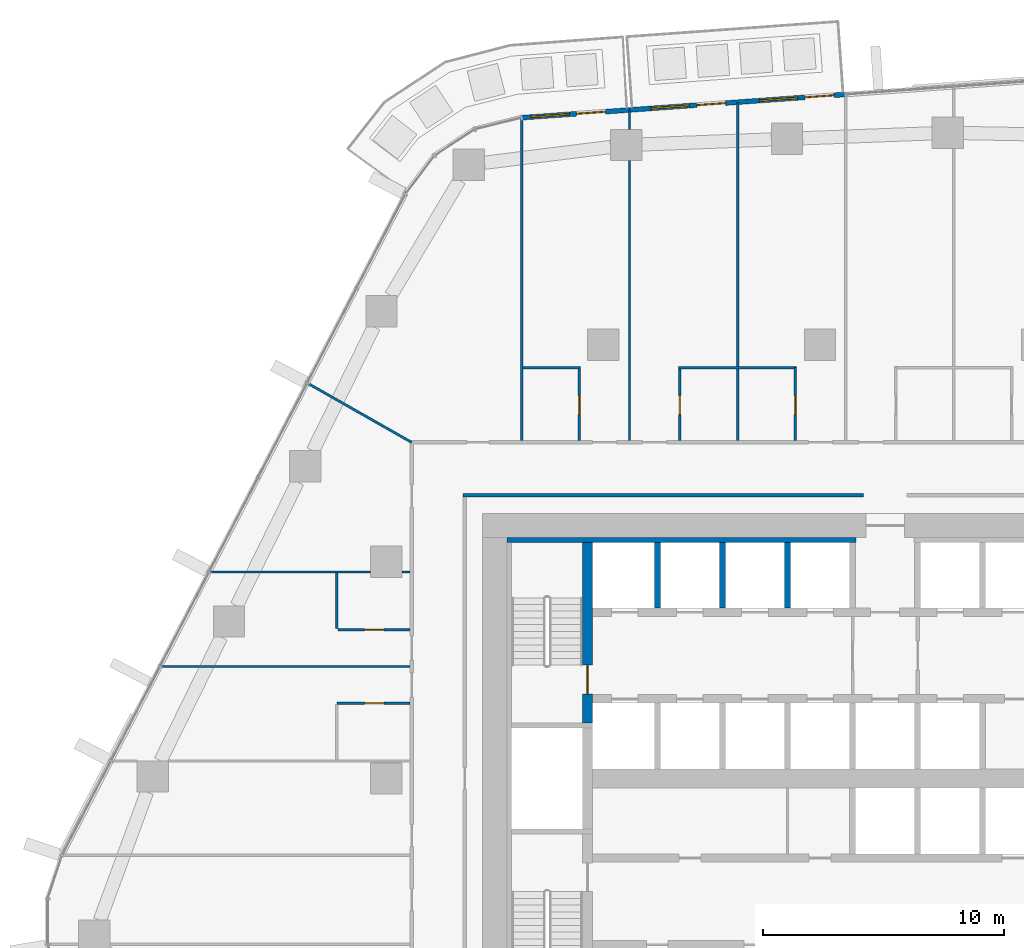
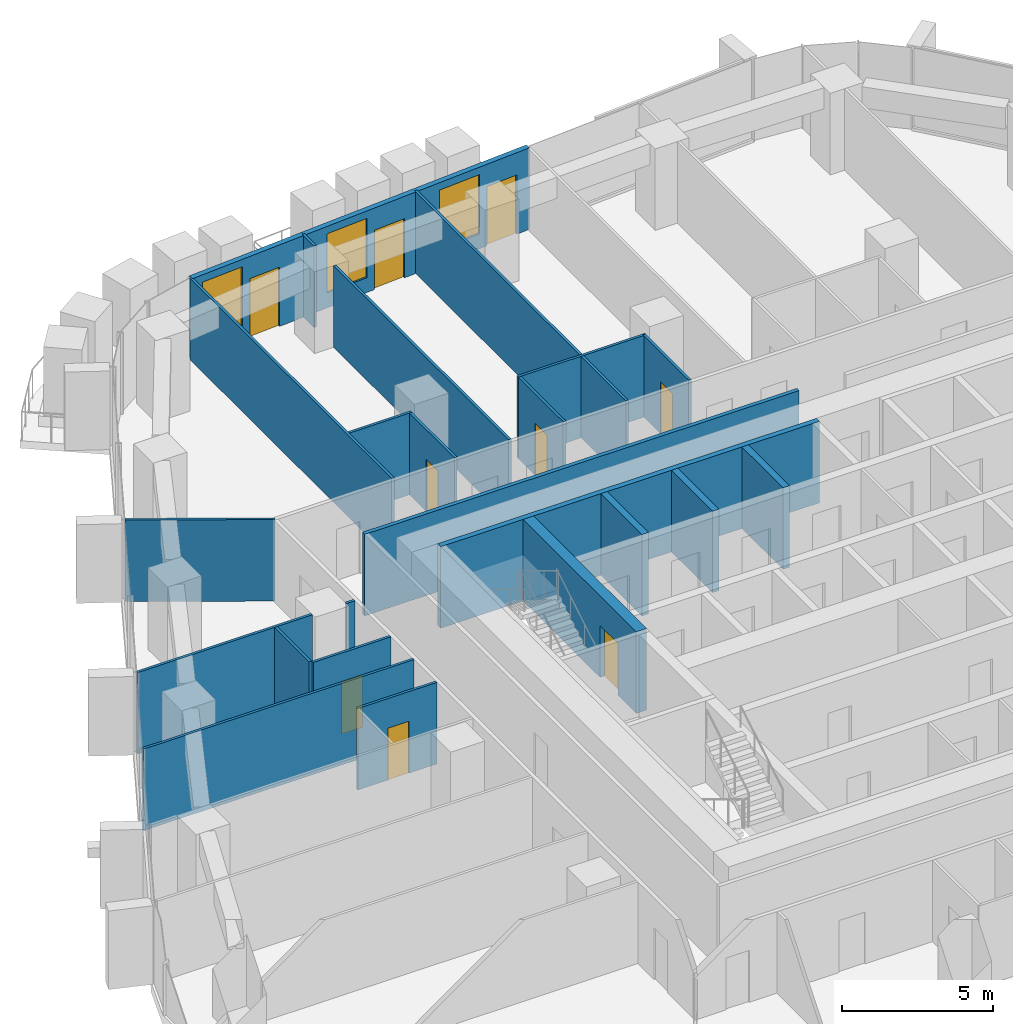
# One storey, part 15 of 24: 25 walls, 9 doors, 3 windows, 12 openings.
"""IFC4 building model written with IfcOpenShell, lengths in metres."""

from ifc_helpers import new_model, si_unit, direction, frame, frame_2d, origin, place, context, subcontext, project, spatial, rectangle, extrude, material, layer, layer_set, type_object, element, fill, save


model = new_model("IFC4")

# Units and contexts
model_context = context("Model", 3, precision=1e-05, world=origin(), true_north=direction((0.0, 1.0)))
body_context = subcontext(model_context, "Body", "Model", "MODEL_VIEW")
ifc_project = project(units=[si_unit("LENGTHUNIT", "METRE"), si_unit("AREAUNIT", "SQUARE_METRE"), si_unit("VOLUMEUNIT", "CUBIC_METRE"), si_unit("PLANEANGLEUNIT", "RADIAN"), si_unit("MASSUNIT", "GRAM", prefix="KILO")], contexts=[model_context])

# Site, building, storey
site_placement = place(None, origin())
site = spatial("IfcSite", under=ifc_project, at=site_placement, CompositionType="ELEMENT")
building_placement = place(site_placement, origin())
building = spatial("IfcBuilding", under=site, at=building_placement, Name="Dongbaek Canopy Tower", CompositionType="ELEMENT")
storey_placement = place(building_placement, frame((0.0, 0.0, 110.0)))
storey = spatial("IfcBuildingStorey", under=building, at=storey_placement, Name="L23", CompositionType="ELEMENT", Elevation=110.0)

# Walls
ifc_material_1 = material(Name="Concrete C60/75", Category="concrete")
ifc_layer_1 = layer(ifc_material_1, 0.199951171875)
ifc_layer_set_1 = layer_set([ifc_layer_1], Name="Core wall lining 200 Concrete C60/75")
wall_type_1 = type_object("IfcWallType", Name="Core wall lining 200 Concrete C60/75", PredefinedType="SHEAR", material=ifc_layer_set_1)
wall_1_placement = place(storey_placement, frame((-13.0, 9.89990234375, 0.0), z_axis=(0.0, 0.0, 1.0), x_axis=(1.0, 0.0, 0.0)))
element("IfcWall", 1, at=wall_1_placement, inside=storey, type_object=wall_type_1, Name="Core wall lining", PredefinedType="SHEAR", context=body_context, shape_type="SweptSolid", body=[
    extrude(rectangle(XDim=14.5, YDim=0.199951171875, at=frame_2d((7.25, 0.0))), origin(), (0.0, 0.0, 1.0), 3.300048828125),
])
ifc_material_2 = material(Name="Gypsum board partition, steel stud, 2 x 15 mm fire board", Category="steel")
ifc_layer_2 = layer(ifc_material_2, 0.14990234375)
ifc_layer_set_2 = layer_set([ifc_layer_2], Name="Fire-rated partition 150 gypsum board")
wall_type_2 = type_object("IfcWallType", Name="Fire-rated partition 150 gypsum board", PredefinedType="PARTITIONING", material=ifc_layer_set_2)
wall_2_placement = place(storey_placement, frame((-14.824951171875, 11.75, 0.0), z_axis=(0.0, 0.0, 1.0), x_axis=(1.0, 0.0, 0.0)))
element("IfcWall", 2, at=wall_2_placement, inside=storey, type_object=wall_type_2, Name="Corridor partition", PredefinedType="PARTITIONING", context=body_context, shape_type="SweptSolid", body=[
    extrude(rectangle(XDim=16.625, YDim=0.14990234375, at=frame_2d((8.3125, 0.0))), origin(), (0.0, 0.0, 1.0), 3.300048828125),
])
ifc_material_3 = material(Name="Concrete C40/50", Category="concrete")
ifc_layer_3 = layer(ifc_material_3, 0.25)
ifc_layer_set_3 = layer_set([ifc_layer_3], Name="Lift shaft wall 250 Concrete C40/50")
wall_type_3 = type_object("IfcWallType", Name="Lift shaft wall 250 Concrete C40/50", PredefinedType="SOLIDWALL", material=ifc_layer_set_3)
for number, where, z_axis, x_axis, name in (
    (3, (-1.35009765625, 7.074951171875, 0.0), (0.0, 0.0, 1.0), (0.0, 1.0, 0.0), "Lift shaft wall"),
    (4, (-4.050048828125, 7.074951171875, 0.0), (0.0, 0.0, 1.0), (0.0, 1.0, 0.0), "Lift shaft wall"),
    (5, (-6.75, 7.074951171875, 0.0), (0.0, 0.0, 1.0), (0.0, 1.0, 0.0), "Lift shaft wall"),
):
    element("IfcWall", number, at=place(storey_placement, frame(where, z_axis=z_axis, x_axis=x_axis)), inside=storey, type_object=wall_type_3, Name=name, PredefinedType="SOLIDWALL", context=body_context, shape_type="SweptSolid", body=[
        extrude(rectangle(XDim=2.72509765625, YDim=0.25, at=frame_2d((1.362548828125, 0.0))), origin(), (0.0, 0.0, 1.0), 3.300048828125),
    ])

# Wall, opening, door
ifc_material_4 = material(Name="Gypsum board partition, steel stud, 2 x 12.5 mm board", Category="steel")
ifc_layer_4 = layer(ifc_material_4, 0.10009765625)
ifc_layer_set_4 = layer_set([ifc_layer_4], Name="Partition 100 gypsum board")
wall_type_4 = type_object("IfcWallType", Name="Partition 100 gypsum board", PredefinedType="PARTITIONING", material=ifc_layer_set_4)
wall_3_placement = place(storey_placement, frame((-17.02490234375, 3.1240234375, 0.0), z_axis=(0.0, 0.0, 1.0), x_axis=(-1.0, 0.0, 0.0)))
wall_3 = element("IfcWall", 6, at=wall_3_placement, inside=storey, type_object=wall_type_4, Name="Partition", PredefinedType="PARTITIONING", context=body_context, shape_type="SweptSolid", body=[
    extrude(rectangle(XDim=3.025146484375, YDim=0.10009765625, at=frame_2d((1.5126953125, 0.0))), origin(), (0.0, 0.0, 1.0), 3.300048828125),
])
opening_1_placement = place(wall_3_placement, frame((1.074951171875, 0.0, 0.0)))
opening_1 = element("IfcOpeningElement", 7, at=opening_1_placement, cuts=wall_3, Name="Opening L23-D037", PredefinedType="OPENING", context=body_context, shape_type="SweptSolid", body=[
    extrude(rectangle(XDim=0.800048828125, YDim=2.10009765625, at=frame_2d((0.39990234375, 1.050048828125))), frame((0.0, 0.06005859375, 0.0), z_axis=(0.0, -1.0, 0.0), x_axis=(1.0, 0.0, 0.0)), (0.0, 0.0, 1.0), 0.1201171875),
])
ifc_material_5 = material(Name="Timber veneered door leaf", Category="wood")
door_type_1 = type_object("IfcDoorType", Name="En-suite door 800 x 2100", OperationType="SINGLE_SWING_LEFT", PredefinedType="DOOR", material=ifc_material_5)
door_1_placement = place(opening_1_placement, origin())
door_1 = element("IfcDoor", 8, at=door_1_placement, inside=storey, type_object=door_type_1, Name="Door L23-D037", OperationType="SINGLE_SWING_RIGHT", OverallHeight=2.10009765625, OverallWidth=0.800048828125, PredefinedType="DOOR", context=body_context, shape_type="SweptSolid", body=[
    extrude(rectangle(XDim=0.800048828125, YDim=2.10009765625, at=frame_2d((0.39990234375, 1.050048828125))), frame((0.0, 0.02490234375, 0.0), z_axis=(0.0, -1.0, 0.0), x_axis=(1.0, 0.0, 0.0)), (0.0, 0.0, 1.0), 0.050048828125),
])
fill(opening_1, door_1)

# Wall
wall_4_placement = place(storey_placement, frame((-27.369140625, 4.64599609375, 0.0), z_axis=(0.0, 0.0, 1.0), x_axis=(1.0, 0.0, 0.0)))
element("IfcWall", 9, at=wall_4_placement, inside=storey, type_object=wall_type_4, Name="Partition", PredefinedType="PARTITIONING", context=body_context, shape_type="SweptSolid", body=[
    extrude(rectangle(XDim=10.34423828125, YDim=0.10009765625, at=frame_2d((5.172119140625, 0.0))), origin(), (0.0, 0.0, 1.0), 3.300048828125),
])

# Wall, opening, door
wall_5_placement = place(storey_placement, frame((-20.0, 6.16796875, 0.0), z_axis=(0.0, 0.0, 1.0), x_axis=(1.0, 0.0, 0.0)))
wall_5 = element("IfcWall", 10, at=wall_5_placement, inside=storey, type_object=wall_type_4, Name="Partition", PredefinedType="PARTITIONING", context=body_context, shape_type="SweptSolid", body=[
    extrude(rectangle(XDim=2.97509765625, YDim=0.10009765625, at=frame_2d((1.487548828125, 0.0))), origin(), (0.0, 0.0, 1.0), 3.300048828125),
])
opening_2_placement = place(wall_5_placement, frame((1.10009765625, 0.0, 0.0)))
opening_2 = element("IfcOpeningElement", 11, at=opening_2_placement, cuts=wall_5, Name="Opening L23-D035", PredefinedType="OPENING", context=body_context, shape_type="SweptSolid", body=[
    extrude(rectangle(XDim=0.800048828125, YDim=2.10009765625, at=frame_2d((0.39990234375, 1.050048828125))), frame((0.0, 0.06005859375, 0.0), z_axis=(0.0, -1.0, 0.0), x_axis=(1.0, 0.0, 0.0)), (0.0, 0.0, 1.0), 0.1201171875),
])
door_2_placement = place(opening_2_placement, origin())
door_2 = element("IfcDoor", 12, at=door_2_placement, inside=storey, type_object=door_type_1, Name="Door L23-D035", OperationType="SINGLE_SWING_LEFT", OverallHeight=2.10009765625, OverallWidth=0.800048828125, PredefinedType="DOOR", context=body_context, shape_type="SweptSolid", body=[
    extrude(rectangle(XDim=0.800048828125, YDim=2.10009765625, at=frame_2d((0.39990234375, 1.050048828125))), frame((0.0, 0.02490234375, 0.0), z_axis=(0.0, -1.0, 0.0), x_axis=(1.0, 0.0, 0.0)), (0.0, 0.0, 1.0), 0.050048828125),
])
fill(opening_2, door_2)

# Walls
wall_6_placement = place(storey_placement, frame((-25.33251953125, 8.568115234375, 0.0), z_axis=(0.0, 0.0, 1.0), x_axis=(1.0, 0.0, 0.0)))
element("IfcWall", 13, at=wall_6_placement, inside=storey, type_object=wall_type_4, Name="Partition", PredefinedType="PARTITIONING", context=body_context, shape_type="SweptSolid", body=[
    extrude(rectangle(XDim=6.6826171875, YDim=0.10009765625, at=frame_2d((3.34130859375, 0.0))), origin(), (0.0, 0.0, 1.0), 3.300048828125),
])
wall_7_placement = place(storey_placement, frame((-17.35009765625, 8.568115234375, 0.0), z_axis=(0.0, 0.0, 1.0), x_axis=(1.0, 0.0, 0.0)))
element("IfcWall", 14, at=wall_7_placement, inside=storey, type_object=wall_type_4, Name="Partition", PredefinedType="PARTITIONING", context=body_context, shape_type="SweptSolid", body=[
    extrude(rectangle(XDim=0.3251953125, YDim=0.10009765625, at=frame_2d((0.16259765625, 0.0))), origin(), (0.0, 0.0, 1.0), 3.300048828125),
])
wall_8_placement = place(storey_placement, frame((-12.3369140625, 17.050048828125, 0.0), z_axis=(0.0, 0.0, 1.0), x_axis=(1.0, 0.0, 0.0)))
element("IfcWall", 15, at=wall_8_placement, inside=storey, type_object=wall_type_4, Name="Partition", PredefinedType="PARTITIONING", context=body_context, shape_type="SweptSolid", body=[
    extrude(rectangle(XDim=2.400146484375, YDim=0.10009765625, at=frame_2d((1.2001953125, 0.0))), origin(), (0.0, 0.0, 1.0), 3.300048828125),
])
wall_9_placement = place(storey_placement, frame((-5.873046875, 17.050048828125, 0.0), z_axis=(0.0, 0.0, 1.0), x_axis=(1.0, 0.0, 0.0)))
element("IfcWall", 16, at=wall_9_placement, inside=storey, type_object=wall_type_4, Name="Partition", PredefinedType="PARTITIONING", context=body_context, shape_type="SweptSolid", body=[
    extrude(rectangle(XDim=4.89990234375, YDim=0.10009765625, at=frame_2d((2.449951171875, 0.0))), origin(), (0.0, 0.0, 1.0), 3.300048828125),
])

# Wall, opening, door
wall_10_placement = place(storey_placement, frame((-1.02294921875, 14.02490234375, 0.0), z_axis=(0.0, 0.0, 1.0), x_axis=(0.0, 1.0, 0.0)))
wall_10 = element("IfcWall", 17, at=wall_10_placement, inside=storey, type_object=wall_type_4, Name="Partition", PredefinedType="PARTITIONING", context=body_context, shape_type="SweptSolid", body=[
    extrude(rectangle(XDim=3.025146484375, YDim=0.10009765625, at=frame_2d((1.5126953125, 0.0))), origin(), (0.0, 0.0, 1.0), 3.300048828125),
])
opening_3_placement = place(wall_10_placement, frame((1.074951171875, 0.0, 0.0)))
opening_3 = element("IfcOpeningElement", 18, at=opening_3_placement, cuts=wall_10, Name="Opening L23-D027", PredefinedType="OPENING", context=body_context, shape_type="SweptSolid", body=[
    extrude(rectangle(XDim=0.800048828125, YDim=2.10009765625, at=frame_2d((0.39990234375, 1.050048828125))), frame((0.0, 0.06005859375, 0.0), z_axis=(0.0, -1.0, 0.0), x_axis=(1.0, 0.0, 0.0)), (0.0, 0.0, 1.0), 0.1201171875),
])
door_3_placement = place(opening_3_placement, origin())
door_3 = element("IfcDoor", 19, at=door_3_placement, inside=storey, type_object=door_type_1, Name="Door L23-D027", OperationType="SINGLE_SWING_RIGHT", OverallHeight=2.10009765625, OverallWidth=0.800048828125, PredefinedType="DOOR", context=body_context, shape_type="SweptSolid", body=[
    extrude(rectangle(XDim=0.800048828125, YDim=2.10009765625, at=frame_2d((0.39990234375, 1.050048828125))), frame((0.0, 0.02490234375, 0.0), z_axis=(0.0, -1.0, 0.0), x_axis=(1.0, 0.0, 0.0)), (0.0, 0.0, 1.0), 0.050048828125),
])
fill(opening_3, door_3)

# Walls
wall_11_placement = place(storey_placement, frame((-3.423095703125, 14.02490234375, 0.0), z_axis=(0.0, 0.0, 1.0), x_axis=(0.0, 1.0, 0.0)))
element("IfcWall", 20, at=wall_11_placement, inside=storey, type_object=wall_type_4, Name="Partition", PredefinedType="PARTITIONING", context=body_context, shape_type="SweptSolid", body=[
    extrude(rectangle(XDim=2.97509765625, YDim=0.10009765625, at=frame_2d((1.487548828125, 0.0))), origin(), (0.0, 0.0, 1.0), 3.300048828125),
])
wall_12_placement = place(storey_placement, frame((-3.423095703125, 17.10009765625, 0.0), z_axis=(0.0, 0.0, 1.0), x_axis=(0.0, 1.0, 0.0)))
element("IfcWall", 21, at=wall_12_placement, inside=storey, type_object=wall_type_4, Name="Partition", PredefinedType="PARTITIONING", context=body_context, shape_type="SweptSolid", body=[
    extrude(rectangle(XDim=10.946044921875, YDim=0.10009765625, at=frame_2d((5.47314453125, 0.0))), origin(), (0.0, 0.0, 1.0), 3.300048828125),
])

# Wall, opening, door
wall_13_placement = place(storey_placement, frame((-5.822998046875, 17.0, 0.0), z_axis=(0.0, 0.0, 1.0), x_axis=(0.0, -1.0, 0.0)))
wall_13 = element("IfcWall", 22, at=wall_13_placement, inside=storey, type_object=wall_type_4, Name="Partition", PredefinedType="PARTITIONING", context=body_context, shape_type="SweptSolid", body=[
    extrude(rectangle(XDim=2.97509765625, YDim=0.10009765625, at=frame_2d((1.487548828125, 0.0))), origin(), (0.0, 0.0, 1.0), 3.300048828125),
])
opening_4_placement = place(wall_13_placement, frame((1.10009765625, 0.0, 0.0)))
opening_4 = element("IfcOpeningElement", 23, at=opening_4_placement, cuts=wall_13, Name="Opening L23-D029", PredefinedType="OPENING", context=body_context, shape_type="SweptSolid", body=[
    extrude(rectangle(XDim=0.800048828125, YDim=2.10009765625, at=frame_2d((0.39990234375, 1.050048828125))), frame((0.0, 0.06005859375, 0.0), z_axis=(0.0, -1.0, 0.0), x_axis=(1.0, 0.0, 0.0)), (0.0, 0.0, 1.0), 0.1201171875),
])
door_4_placement = place(opening_4_placement, origin())
door_4 = element("IfcDoor", 24, at=door_4_placement, inside=storey, type_object=door_type_1, Name="Door L23-D029", OperationType="SINGLE_SWING_LEFT", OverallHeight=2.10009765625, OverallWidth=0.800048828125, PredefinedType="DOOR", context=body_context, shape_type="SweptSolid", body=[
    extrude(rectangle(XDim=0.800048828125, YDim=2.10009765625, at=frame_2d((0.39990234375, 1.050048828125))), frame((0.0, 0.02490234375, 0.0), z_axis=(0.0, -1.0, 0.0), x_axis=(1.0, 0.0, 0.0)), (0.0, 0.0, 1.0), 0.050048828125),
])
fill(opening_4, door_4)

# Walls
wall_14_placement = place(storey_placement, frame((-7.908935546875, 14.02490234375, 0.0), z_axis=(0.0, 0.0, 1.0), x_axis=(0.0, 1.0, 0.0)))
element("IfcWall", 25, at=wall_14_placement, inside=storey, type_object=wall_type_4, Name="Partition", PredefinedType="PARTITIONING", context=body_context, shape_type="SweptSolid", body=[
    extrude(rectangle(XDim=11.613037109375, YDim=0.10009765625, at=frame_2d((5.806640625, 0.0))), origin(), (0.0, 0.0, 1.0), 3.300048828125),
])
wall_15_placement = place(storey_placement, frame((-7.908935546875, 26.93798828125, 0.0), z_axis=(0.0, 0.0, 1.0), x_axis=(0.0, 1.0, 0.0)))
element("IfcWall", 26, at=wall_15_placement, inside=storey, type_object=wall_type_4, Name="Partition", PredefinedType="PARTITIONING", context=body_context, shape_type="SweptSolid", body=[
    extrude(rectangle(XDim=0.785400390625, YDim=0.10009765625, at=frame_2d((0.392578125, 0.0))), origin(), (0.0, 0.0, 1.0), 3.300048828125),
])

# Wall, opening, door
wall_16_placement = place(storey_placement, frame((-9.987060546875, 14.02490234375, 0.0), z_axis=(0.0, 0.0, 1.0), x_axis=(0.0, 1.0, 0.0)))
wall_16 = element("IfcWall", 27, at=wall_16_placement, inside=storey, type_object=wall_type_4, Name="Partition", PredefinedType="PARTITIONING", context=body_context, shape_type="SweptSolid", body=[
    extrude(rectangle(XDim=2.97509765625, YDim=0.10009765625, at=frame_2d((1.487548828125, 0.0))), origin(), (0.0, 0.0, 1.0), 3.300048828125),
])
opening_5_placement = place(wall_16_placement, frame((1.074951171875, 0.0, 0.0)))
opening_5 = element("IfcOpeningElement", 28, at=opening_5_placement, cuts=wall_16, Name="Opening L23-D031", PredefinedType="OPENING", context=body_context, shape_type="SweptSolid", body=[
    extrude(rectangle(XDim=0.800048828125, YDim=2.10009765625, at=frame_2d((0.39990234375, 1.050048828125))), frame((0.0, 0.06005859375, 0.0), z_axis=(0.0, -1.0, 0.0), x_axis=(1.0, 0.0, 0.0)), (0.0, 0.0, 1.0), 0.1201171875),
])
door_5_placement = place(opening_5_placement, origin())
door_5 = element("IfcDoor", 29, at=door_5_placement, inside=storey, type_object=door_type_1, Name="Door L23-D031", OperationType="SINGLE_SWING_RIGHT", OverallHeight=2.10009765625, OverallWidth=0.800048828125, PredefinedType="DOOR", context=body_context, shape_type="SweptSolid", body=[
    extrude(rectangle(XDim=0.800048828125, YDim=2.10009765625, at=frame_2d((0.39990234375, 1.050048828125))), frame((0.0, 0.02490234375, 0.0), z_axis=(0.0, -1.0, 0.0), x_axis=(1.0, 0.0, 0.0)), (0.0, 0.0, 1.0), 0.050048828125),
])
fill(opening_5, door_5)

# Walls
wall_17_placement = place(storey_placement, frame((-12.386962890625, 14.02490234375, 0.0), z_axis=(0.0, 0.0, 1.0), x_axis=(0.0, 1.0, 0.0)))
element("IfcWall", 30, at=wall_17_placement, inside=storey, type_object=wall_type_4, Name="Partition", PredefinedType="PARTITIONING", context=body_context, shape_type="SweptSolid", body=[
    extrude(rectangle(XDim=13.3759765625, YDim=0.10009765625, at=frame_2d((6.68798828125, 0.0))), origin(), (0.0, 0.0, 1.0), 3.300048828125),
])
wall_18_placement = place(storey_placement, frame((-20.050048828125, 6.2177734375, 0.0), z_axis=(0.0, 0.0, 1.0), x_axis=(0.0, 1.0, 0.0)))
element("IfcWall", 31, at=wall_18_placement, inside=storey, type_object=wall_type_4, Name="Partition", PredefinedType="PARTITIONING", context=body_context, shape_type="SweptSolid", body=[
    extrude(rectangle(XDim=2.2998046875, YDim=0.10009765625, at=frame_2d((1.14990234375, 0.0))), origin(), (0.0, 0.0, 1.0), 3.300048828125),
])
wall_19_placement = place(storey_placement, frame((-21.26416015625, 16.4013671875, 0.0), z_axis=(0.0, 0.0, 1.0), x_axis=(0.869409483432, -0.494092248592, 0.0)))
element("IfcWall", 32, at=wall_19_placement, inside=storey, type_object=wall_type_4, Name="Partition", PredefinedType="PARTITIONING", context=body_context, shape_type="SweptSolid", body=[
    extrude(rectangle(XDim=4.9619140625, YDim=0.10009765625, at=frame_2d((2.48095703125, 0.0))), origin(), (0.0, 0.0, 1.0), 3.300048828125),
])

# Wall, opening, door
ifc_material_6 = material(Name="Concrete C60/75", Category="concrete")
ifc_layer_5 = layer(ifc_material_6, 0.39990234375)
ifc_layer_set_5 = layer_set([ifc_layer_5], Name="Stair wall 400 Concrete C60/75")
wall_type_5 = type_object("IfcWallType", Name="Stair wall 400 Concrete C60/75", PredefinedType="SHEAR", material=ifc_layer_set_5)
wall_20_placement = place(storey_placement, frame((-9.64990234375, 2.300048828125, 0.0), z_axis=(0.0, 0.0, 1.0), x_axis=(0.0, 1.0, 0.0)))
wall_20 = element("IfcWall", 33, at=wall_20_placement, inside=storey, type_object=wall_type_5, Name="Stair wall", PredefinedType="SHEAR", context=body_context, shape_type="SweptSolid", body=[
    extrude(rectangle(XDim=7.5, YDim=0.39990234375, at=frame_2d((3.75, 0.0))), origin(), (0.0, 0.0, 1.0), 3.300048828125),
])
opening_6_placement = place(wall_20_placement, frame((1.199951171875, 0.0, 0.0)))
opening_6 = element("IfcOpeningElement", 34, at=opening_6_placement, cuts=wall_20, Name="Opening L23-D066", PredefinedType="OPENING", context=body_context, shape_type="SweptSolid", body=[
    extrude(rectangle(XDim=1.199951171875, YDim=2.10009765625, at=frame_2d((0.60009765625, 1.050048828125))), frame((0.0, 0.2099609375, 0.0), z_axis=(0.0, -1.0, 0.0), x_axis=(1.0, 0.0, 0.0)), (0.0, 0.0, 1.0), 0.419921875),
])
ifc_material_7 = material(Name="Steel", Category="steel")
door_type_2 = type_object("IfcDoorType", Name="Stair door 1200 x 2100", OperationType="SINGLE_SWING_LEFT", PredefinedType="DOOR", material=ifc_material_7)
door_6_placement = place(opening_6_placement, origin())
door_6 = element("IfcDoor", 35, at=door_6_placement, inside=storey, type_object=door_type_2, Name="Stair C door", OperationType="SINGLE_SWING_RIGHT", OverallHeight=2.10009765625, OverallWidth=1.199951171875, PredefinedType="DOOR", context=body_context, shape_type="SweptSolid", body=[
    extrude(rectangle(XDim=1.199951171875, YDim=2.10009765625, at=frame_2d((0.60009765625, 1.050048828125))), frame((0.0, 0.02490234375, 0.0), z_axis=(0.0, -1.0, 0.0), x_axis=(1.0, 0.0, 0.0)), (0.0, 0.0, 1.0), 0.050048828125),
])
fill(opening_6, door_6)

# Wall, openings, doors, windows
ifc_material_8 = material(Name="Aluminium window wall", Category="aluminium")
ifc_layer_6 = layer(ifc_material_8, 0.199951171875)
ifc_layer_set_6 = layer_set([ifc_layer_6], Name="Window wall 200")
wall_type_6 = type_object("IfcWallType", Name="Window wall 200", PredefinedType="SOLIDWALL", material=ifc_layer_set_6)
wall_21_placement = place(storey_placement, frame((1.06298828125, 28.388916015625, 0.0), z_axis=(0.0, 0.0, 1.0), x_axis=(-0.997421921005, -0.071760096847, 0.0)))
wall_21 = element("IfcWall", 36, at=wall_21_placement, inside=storey, type_object=wall_type_6, Name="Window wall L23 2", PredefinedType="SOLIDWALL", context=body_context, shape_type="SweptSolid", body=[
    extrude(rectangle(XDim=8.995361328125, YDim=0.199951171875, at=frame_2d((4.49755859375, 0.0))), origin(), (0.0, 0.0, 1.0), 3.300048828125),
])
opening_7_placement = place(wall_21_placement, frame((2.0, 0.0, 0.60009765625)))
opening_7 = element("IfcOpeningElement", 37, at=opening_7_placement, cuts=wall_21, Name="Opening W1", PredefinedType="OPENING", context=body_context, shape_type="SweptSolid", body=[
    extrude(rectangle(XDim=1.60009765625, YDim=2.39990234375, at=frame_2d((0.800048828125, 1.199951171875))), frame((0.0, 0.10986328125, 0.0), z_axis=(0.0, -1.0, 0.0), x_axis=(1.0, 0.0, 0.0)), (0.0, 0.0, 1.0), 0.219970703125),
])
opening_8_placement = place(wall_21_placement, frame((0.5, 0.0, 0.0)))
opening_8 = element("IfcOpeningElement", 38, at=opening_8_placement, cuts=wall_21, Name="Opening L23-B04", PredefinedType="OPENING", context=body_context, shape_type="SweptSolid", body=[
    extrude(rectangle(XDim=1.199951171875, YDim=2.39990234375, at=frame_2d((0.60009765625, 1.199951171875))), frame((0.0, 0.10986328125, 0.0), z_axis=(0.0, -1.0, 0.0), x_axis=(1.0, 0.0, 0.0)), (0.0, 0.0, 1.0), 0.219970703125),
])
opening_9_placement = place(wall_21_placement, frame((6.49755859375, 0.0, 0.60009765625)))
opening_9 = element("IfcOpeningElement", 39, at=opening_9_placement, cuts=wall_21, Name="Opening W1", PredefinedType="OPENING", context=body_context, shape_type="SweptSolid", body=[
    extrude(rectangle(XDim=1.60009765625, YDim=2.39990234375, at=frame_2d((0.800048828125, 1.199951171875))), frame((0.0, 0.10986328125, 0.0), z_axis=(0.0, -1.0, 0.0), x_axis=(1.0, 0.0, 0.0)), (0.0, 0.0, 1.0), 0.219970703125),
])
opening_10_placement = place(wall_21_placement, frame((4.99755859375, 0.0, 0.0)))
opening_10 = element("IfcOpeningElement", 40, at=opening_10_placement, cuts=wall_21, Name="Opening L23-B05", PredefinedType="OPENING", context=body_context, shape_type="SweptSolid", body=[
    extrude(rectangle(XDim=1.199951171875, YDim=2.39990234375, at=frame_2d((0.60009765625, 1.199951171875))), frame((0.0, 0.10986328125, 0.0), z_axis=(0.0, -1.0, 0.0), x_axis=(1.0, 0.0, 0.0)), (0.0, 0.0, 1.0), 0.219970703125),
])
ifc_material_9 = material(Name="Clear glazing in aluminium frame", Category="aluminium")
door_type_3 = type_object("IfcDoorType", Name="Balcony door BD1 1200 x 2400", OperationType="SLIDING_TO_LEFT", PredefinedType="DOOR", material=ifc_material_9)
door_7_placement = place(opening_8_placement, origin())
door_7 = element("IfcDoor", 41, at=door_7_placement, inside=storey, type_object=door_type_3, Name="Balcony door L23-B04", OperationType="SLIDING_TO_LEFT", OverallHeight=2.39990234375, OverallWidth=1.199951171875, PredefinedType="DOOR", context=body_context, shape_type="SweptSolid", body=[
    extrude(rectangle(XDim=1.199951171875, YDim=2.39990234375, at=frame_2d((0.60009765625, 1.199951171875))), frame((0.0, 0.02490234375, 0.0), z_axis=(0.0, -1.0, 0.0), x_axis=(1.0, 0.0, 0.0)), (0.0, 0.0, 1.0), 0.050048828125),
])
fill(opening_8, door_7)
door_8_placement = place(opening_10_placement, origin())
door_8 = element("IfcDoor", 42, at=door_8_placement, inside=storey, type_object=door_type_3, Name="Balcony door L23-B05", OperationType="SLIDING_TO_LEFT", OverallHeight=2.39990234375, OverallWidth=1.199951171875, PredefinedType="DOOR", context=body_context, shape_type="SweptSolid", body=[
    extrude(rectangle(XDim=1.199951171875, YDim=2.39990234375, at=frame_2d((0.60009765625, 1.199951171875))), frame((0.0, 0.02490234375, 0.0), z_axis=(0.0, -1.0, 0.0), x_axis=(1.0, 0.0, 0.0)), (0.0, 0.0, 1.0), 0.050048828125),
])
fill(opening_10, door_8)
ifc_material_10 = material(Name="Clear glazing in aluminium frame", Category="aluminium")
window_type = type_object("IfcWindowType", Name="Window W1 1600 x 2400", PartitioningType="SINGLE_PANEL", PredefinedType="WINDOW", material=ifc_material_10)
window_1_placement = place(opening_7_placement, origin())
window_1 = element("IfcWindow", 43, at=window_1_placement, inside=storey, type_object=window_type, Name="Window L23 2.1", OverallHeight=2.39990234375, OverallWidth=1.60009765625, PartitioningType="SINGLE_PANEL", PredefinedType="WINDOW", context=body_context, shape_type="SweptSolid", body=[
    extrude(rectangle(XDim=1.60009765625, YDim=2.39990234375, at=frame_2d((0.800048828125, 1.199951171875))), frame((0.0, 0.030029296875, 0.0), z_axis=(0.0, -1.0, 0.0), x_axis=(1.0, 0.0, 0.0)), (0.0, 0.0, 1.0), 0.06005859375),
])
fill(opening_7, window_1)
window_2_placement = place(opening_9_placement, origin())
window_2 = element("IfcWindow", 44, at=window_2_placement, inside=storey, type_object=window_type, Name="Window L23 2.2", OverallHeight=2.39990234375, OverallWidth=1.60009765625, PartitioningType="SINGLE_PANEL", PredefinedType="WINDOW", context=body_context, shape_type="SweptSolid", body=[
    extrude(rectangle(XDim=1.60009765625, YDim=2.39990234375, at=frame_2d((0.800048828125, 1.199951171875))), frame((0.0, 0.030029296875, 0.0), z_axis=(0.0, -1.0, 0.0), x_axis=(1.0, 0.0, 0.0)), (0.0, 0.0, 1.0), 0.06005859375),
])
fill(opening_9, window_2)

# Wall, openings, door, window
wall_22_placement = place(storey_placement, frame((-7.9091796875, 27.743408203125, 0.0), z_axis=(0.0, 0.0, 1.0), x_axis=(-0.997423796537, -0.071734023317, 0.0)))
wall_22 = element("IfcWall", 45, at=wall_22_placement, inside=storey, type_object=wall_type_6, Name="Window wall L23 7", PredefinedType="SOLIDWALL", context=body_context, shape_type="SweptSolid", body=[
    extrude(rectangle(XDim=4.489013671875, YDim=0.199951171875, at=frame_2d((2.24462890625, 0.0))), origin(), (0.0, 0.0, 1.0), 3.300048828125),
])
opening_11_placement = place(wall_22_placement, frame((2.5, 0.0, 0.60009765625)))
opening_11 = element("IfcOpeningElement", 46, at=opening_11_placement, cuts=wall_22, Name="Opening W1", PredefinedType="OPENING", context=body_context, shape_type="SweptSolid", body=[
    extrude(rectangle(XDim=1.60009765625, YDim=2.39990234375, at=frame_2d((0.800048828125, 1.199951171875))), frame((0.0, 0.10986328125, 0.0), z_axis=(0.0, -1.0, 0.0), x_axis=(1.0, 0.0, 0.0)), (0.0, 0.0, 1.0), 0.219970703125),
])
opening_12_placement = place(wall_22_placement, frame((1.0, 0.0, 0.0)))
opening_12 = element("IfcOpeningElement", 47, at=opening_12_placement, cuts=wall_22, Name="Opening L23-B06", PredefinedType="OPENING", context=body_context, shape_type="SweptSolid", body=[
    extrude(rectangle(XDim=1.199951171875, YDim=2.39990234375, at=frame_2d((0.60009765625, 1.199951171875))), frame((0.0, 0.10986328125, 0.0), z_axis=(0.0, -1.0, 0.0), x_axis=(1.0, 0.0, 0.0)), (0.0, 0.0, 1.0), 0.219970703125),
])
door_9_placement = place(opening_12_placement, origin())
door_9 = element("IfcDoor", 48, at=door_9_placement, inside=storey, type_object=door_type_3, Name="Balcony door L23-B06", OperationType="SLIDING_TO_LEFT", OverallHeight=2.39990234375, OverallWidth=1.199951171875, PredefinedType="DOOR", context=body_context, shape_type="SweptSolid", body=[
    extrude(rectangle(XDim=1.199951171875, YDim=2.39990234375, at=frame_2d((0.60009765625, 1.199951171875))), frame((0.0, 0.02490234375, 0.0), z_axis=(0.0, -1.0, 0.0), x_axis=(1.0, 0.0, 0.0)), (0.0, 0.0, 1.0), 0.050048828125),
])
fill(opening_12, door_9)
window_3_placement = place(opening_11_placement, origin())
window_3 = element("IfcWindow", 49, at=window_3_placement, inside=storey, type_object=window_type, Name="Window L23 7.1", OverallHeight=2.39990234375, OverallWidth=1.60009765625, PartitioningType="SINGLE_PANEL", PredefinedType="WINDOW", context=body_context, shape_type="SweptSolid", body=[
    extrude(rectangle(XDim=1.60009765625, YDim=2.39990234375, at=frame_2d((0.800048828125, 1.199951171875))), frame((0.0, 0.030029296875, 0.0), z_axis=(0.0, -1.0, 0.0), x_axis=(1.0, 0.0, 0.0)), (0.0, 0.0, 1.0), 0.06005859375),
])
fill(opening_11, window_3)

save(model, "model.ifc")
